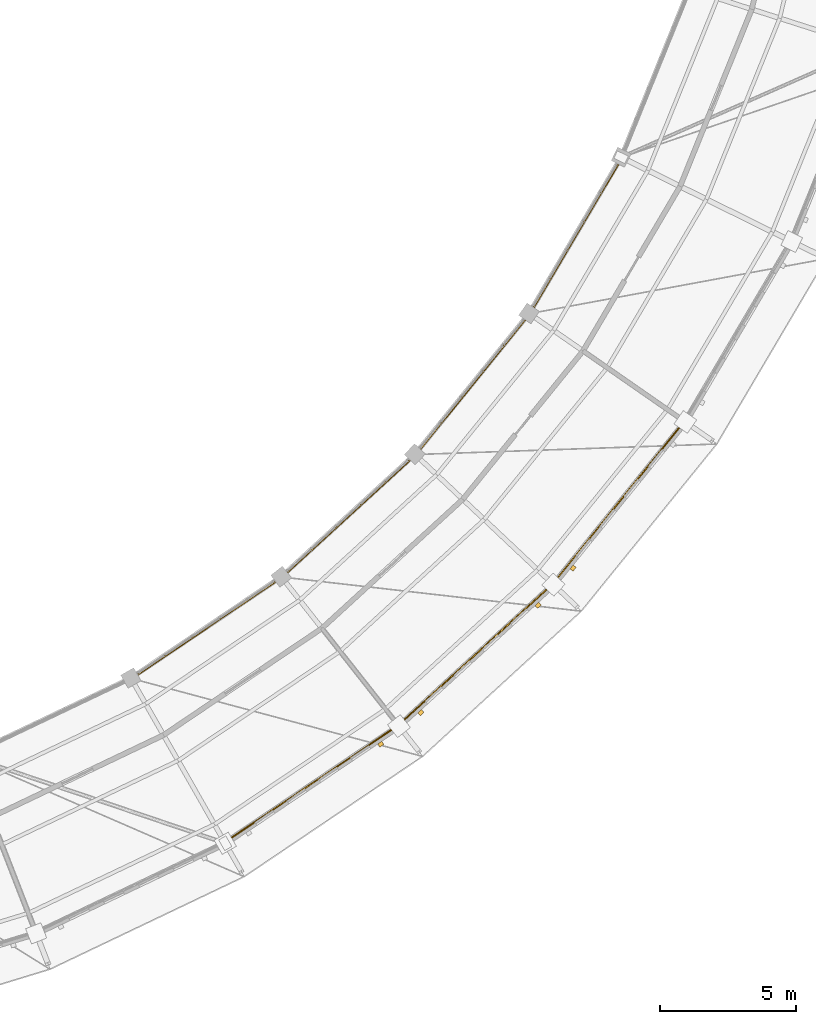
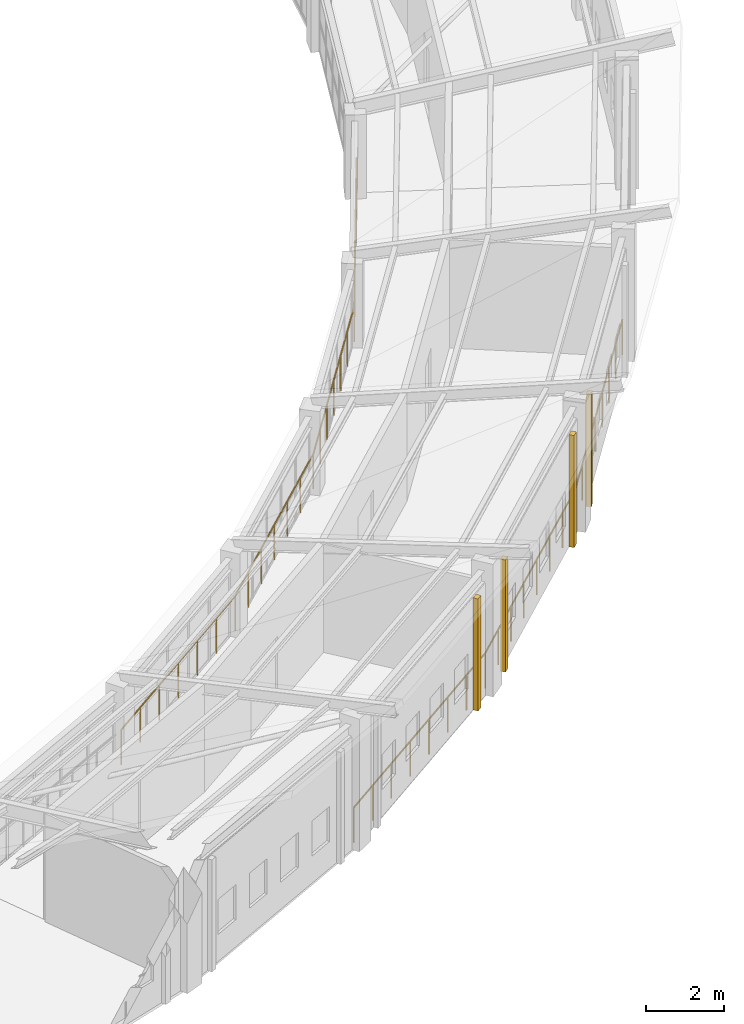
# One storey, part 141 of 149: 7 railings, 4 coverings.
"""IFC4 building model written with IfcOpenShell, lengths in metres."""

from ifc_helpers import new_model, si_unit, direction, frame, origin, origin_2d, place, context, subcontext, project, spatial, rectangle, circle, extrude, material, layer, layer_set, type_object, element, save


model = new_model("IFC4")

# Units and contexts
model_context = context("Model", 3, precision=1e-05, world=origin(), true_north=direction((0.0, 1.0)))
body_context = subcontext(model_context, "Body", "Model", "MODEL_VIEW")
ifc_project = project(units=[si_unit("LENGTHUNIT", "METRE"), si_unit("AREAUNIT", "SQUARE_METRE"), si_unit("VOLUMEUNIT", "CUBIC_METRE"), si_unit("PLANEANGLEUNIT", "RADIAN"), si_unit("MASSUNIT", "GRAM", prefix="KILO")], contexts=[model_context])

# Site, building, storey
site_placement = place(None, origin())
site = spatial("IfcSite", under=ifc_project, at=site_placement, CompositionType="ELEMENT")
building_placement = place(site_placement, origin())
building = spatial("IfcBuilding", under=site, at=building_placement, Name="Celadon Cloister-Ring School", CompositionType="ELEMENT")
storey_placement = place(building_placement, frame((0.0, 0.0, 12.5)))
storey = spatial("IfcBuildingStorey", under=building, at=storey_placement, Name="L03", CompositionType="ELEMENT", Elevation=12.5)

# Coverings
ifc_material_1 = material(Name="Perforated terracotta clay brick masonry", Category="masonry")
ifc_layer = layer(ifc_material_1, 0.139892578125)
ifc_layer_set = layer_set([ifc_layer], Name="Perforated terracotta clay brick masonry")
covering_type = type_object("IfcCoveringType", Name="CV-SC1", PredefinedType="CLADDING", material=ifc_layer_set)
for number, where, z_axis, x_axis, name in (
    (1, (118.510009765625, 17.488037109375, -0.00048828125), (0.0, 0.0, 1.0), (-0.829213207273, -0.558932426045, 0.0), "Brick Screen Rib 0388"),
    (2, (124.298095703125, 22.59912109375, -0.00048828125), (0.0, 0.0, 1.0), (-0.73754847669, -0.675294191099, 0.0), "Brick Screen Rib 0390"),
    (3, (119.98291015625, 18.64892578125, -0.00048828125), (0.0, 0.0, 1.0), (-0.73754847669, -0.675294191099, 0.0), "Brick Screen Rib 0391"),
    (4, (125.5830078125, 23.965087890625, -0.00048828125), (0.0, 0.0, 1.0), (-0.629605187645, -0.776915251292, 0.0), "Brick Screen Rib 0393"),
):
    element("IfcCovering", number, at=place(storey_placement, frame(where, z_axis=z_axis, x_axis=x_axis)), inside=storey, type_object=covering_type, Name=name, PredefinedType="CLADDING", context=body_context, shape_type="SweptSolid", body=[
        extrude(rectangle(XDim=0.179931640625, YDim=0.139892578125, at=origin_2d()), origin(), (0.0, 0.0, 1.0), 3.51708984375),
    ])

# Railings
ifc_material_2 = material(Name="Structural steel S355JR", Category="steel")
railing_type = type_object("IfcRailingType", Name="RL-BL1", PredefinedType="BALUSTRADE", material=ifc_material_2)
railing_1_placement = place(storey_placement, frame((112.77197265625, 13.882080078125, 0.0)))
element("IfcRailing", 5, at=railing_1_placement, inside=storey, type_object=railing_type, Name="Terrace Balustrade 0166", PredefinedType="BALUSTRADE", context=body_context, shape_type="SweptSolid", body=[
    extrude(circle(Radius=0.02392578125, at=origin_2d()), frame((0.0, 0.0, 1.09619140625), z_axis=(0.829184941382, 0.558974358075, 0.0), x_axis=(-0.558974358075, 0.829184941382, 0.0)), (0.0, 0.0, 1.0), 7.697998046875),
    extrude(circle(Radius=0.02099609375, at=origin_2d()), origin(), (0.0, 0.0, 1.0), 1.072021484375),
    extrude(circle(Radius=0.02099609375, at=origin_2d()), frame((0.911865234375, 0.61474609375, 0.0)), (0.0, 0.0, 1.0), 1.072021484375),
    extrude(circle(Radius=0.02099609375, at=origin_2d()), frame((1.82373046875, 1.2294921875, 0.0)), (0.0, 0.0, 1.0), 1.072021484375),
    extrude(circle(Radius=0.02099609375, at=origin_2d()), frame((2.735595703125, 1.84423828125, 0.0)), (0.0, 0.0, 1.0), 1.072021484375),
    extrude(circle(Radius=0.02099609375, at=origin_2d()), frame((3.6474609375, 2.458740234375, 0.0)), (0.0, 0.0, 1.0), 1.072021484375),
    extrude(circle(Radius=0.02099609375, at=origin_2d()), frame((4.559326171875, 3.073486328125, 0.0)), (0.0, 0.0, 1.0), 1.072021484375),
    extrude(circle(Radius=0.02099609375, at=origin_2d()), frame((5.47119140625, 3.688232421875, 0.0)), (0.0, 0.0, 1.0), 1.072021484375),
    extrude(circle(Radius=0.02099609375, at=origin_2d()), frame((6.383056640625, 4.302978515625, 0.0)), (0.0, 0.0, 1.0), 1.072021484375),
])
railing_2_placement = place(storey_placement, frame((119.155029296875, 18.18505859375, 0.0)))
element("IfcRailing", 6, at=railing_2_placement, inside=storey, type_object=railing_type, Name="Terrace Balustrade 0167", PredefinedType="BALUSTRADE", context=body_context, shape_type="SweptSolid", body=[
    extrude(circle(Radius=0.02392578125, at=origin_2d()), frame((0.0, 0.0, 1.09619140625), z_axis=(0.737537150433, 0.675306561298, 0.0), x_axis=(-0.675306561298, 0.737537150433, 0.0)), (0.0, 0.0, 1.0), 7.697265625),
    extrude(circle(Radius=0.02099609375, at=origin_2d()), origin(), (0.0, 0.0, 1.0), 1.072021484375),
    extrude(circle(Radius=0.02099609375, at=origin_2d()), frame((0.81103515625, 0.74267578125, 0.0)), (0.0, 0.0, 1.0), 1.072021484375),
    extrude(circle(Radius=0.02099609375, at=origin_2d()), frame((1.6220703125, 1.485107421875, 0.0)), (0.0, 0.0, 1.0), 1.072021484375),
    extrude(circle(Radius=0.02099609375, at=origin_2d()), frame((2.43310546875, 2.227783203125, 0.0)), (0.0, 0.0, 1.0), 1.072021484375),
    extrude(circle(Radius=0.02099609375, at=origin_2d()), frame((3.243896484375, 2.97021484375, 0.0)), (0.0, 0.0, 1.0), 1.072021484375),
    extrude(circle(Radius=0.02099609375, at=origin_2d()), frame((4.054931640625, 3.712890625, 0.0)), (0.0, 0.0, 1.0), 1.072021484375),
    extrude(circle(Radius=0.02099609375, at=origin_2d()), frame((4.865966796875, 4.455322265625, 0.0)), (0.0, 0.0, 1.0), 1.072021484375),
    extrude(circle(Radius=0.02099609375, at=origin_2d()), frame((5.677001953125, 5.197998046875, 0.0)), (0.0, 0.0, 1.0), 1.072021484375),
])
railing_3_placement = place(storey_placement, frame((124.83203125, 23.383056640625, 0.0)))
element("IfcRailing", 7, at=railing_3_placement, inside=storey, type_object=railing_type, Name="Terrace Balustrade 0168", PredefinedType="BALUSTRADE", context=body_context, shape_type="SweptSolid", body=[
    extrude(circle(Radius=0.02392578125, at=origin_2d()), frame((0.0, 0.0, 1.09619140625), z_axis=(0.629605941512, 0.776914640365, 0.0), x_axis=(-0.776914640365, 0.629605941512, 0.0)), (0.0, 0.0, 1.0), 7.6982421875),
    extrude(circle(Radius=0.02099609375, at=origin_2d()), origin(), (0.0, 0.0, 1.0), 1.072021484375),
    extrude(circle(Radius=0.02099609375, at=origin_2d()), frame((0.6923828125, 0.8544921875, 0.0)), (0.0, 0.0, 1.0), 1.072021484375),
    extrude(circle(Radius=0.02099609375, at=origin_2d()), frame((1.384765625, 1.708740234375, 0.0)), (0.0, 0.0, 1.0), 1.072021484375),
    extrude(circle(Radius=0.02099609375, at=origin_2d()), frame((2.0771484375, 2.563232421875, 0.0)), (0.0, 0.0, 1.0), 1.072021484375),
    extrude(circle(Radius=0.02099609375, at=origin_2d()), frame((2.769775390625, 3.417724609375, 0.0)), (0.0, 0.0, 1.0), 1.072021484375),
    extrude(circle(Radius=0.02099609375, at=origin_2d()), frame((3.462158203125, 4.272216796875, 0.0)), (0.0, 0.0, 1.0), 1.072021484375),
    extrude(circle(Radius=0.02099609375, at=origin_2d()), frame((4.154541015625, 5.12646484375, 0.0)), (0.0, 0.0, 1.0), 1.072021484375),
    extrude(circle(Radius=0.02099609375, at=origin_2d()), frame((4.846923828125, 5.98095703125, 0.0)), (0.0, 0.0, 1.0), 1.072021484375),
])
railing_4_placement = place(storey_placement, frame((109.340087890625, 19.89111328125, 0.0)))
element("IfcRailing", 8, at=railing_4_placement, inside=storey, type_object=railing_type, Name="Terrace Balustrade 0201", PredefinedType="BALUSTRADE", context=body_context, shape_type="SweptSolid", body=[
    extrude(circle(Radius=0.02392578125, at=origin_2d()), frame((0.0, 0.0, 1.09619140625), z_axis=(0.829179794599, 0.558981992759, 0.0), x_axis=(-0.558981992759, 0.829179794599, 0.0)), (0.0, 0.0, 1.0), 6.6728515625),
    extrude(circle(Radius=0.02099609375, at=origin_2d()), origin(), (0.0, 0.0, 1.0), 1.072021484375),
    extrude(circle(Radius=0.02099609375, at=origin_2d()), frame((0.922119140625, 0.62158203125, 0.0)), (0.0, 0.0, 1.0), 1.072021484375),
    extrude(circle(Radius=0.02099609375, at=origin_2d()), frame((1.84423828125, 1.243408203125, 0.0)), (0.0, 0.0, 1.0), 1.072021484375),
    extrude(circle(Radius=0.02099609375, at=origin_2d()), frame((2.7666015625, 1.864990234375, 0.0)), (0.0, 0.0, 1.0), 1.072021484375),
    extrude(circle(Radius=0.02099609375, at=origin_2d()), frame((3.688720703125, 2.486572265625, 0.0)), (0.0, 0.0, 1.0), 1.072021484375),
    extrude(circle(Radius=0.02099609375, at=origin_2d()), frame((4.61083984375, 3.1083984375, 0.0)), (0.0, 0.0, 1.0), 1.072021484375),
    extrude(circle(Radius=0.02099609375, at=origin_2d()), frame((5.532958984375, 3.72998046875, 0.0)), (0.0, 0.0, 1.0), 1.072021484375),
])
railing_5_placement = place(storey_placement, frame((114.873046875, 23.62109375, 0.0)))
element("IfcRailing", 9, at=railing_5_placement, inside=storey, type_object=railing_type, Name="Terrace Balustrade 0202", PredefinedType="BALUSTRADE", context=body_context, shape_type="SweptSolid", body=[
    extrude(circle(Radius=0.02392578125, at=origin_2d()), frame((0.0, 0.0, 1.09619140625), z_axis=(0.737524632236, 0.675320232812, 0.0), x_axis=(-0.675320232812, 0.737524632236, 0.0)), (0.0, 0.0, 1.0), 6.672119140625),
    extrude(circle(Radius=0.02099609375, at=origin_2d()), origin(), (0.0, 0.0, 1.0), 1.072021484375),
    extrude(circle(Radius=0.02099609375, at=origin_2d()), frame((0.820068359375, 0.7509765625, 0.0)), (0.0, 0.0, 1.0), 1.072021484375),
    extrude(circle(Radius=0.02099609375, at=origin_2d()), frame((1.640380859375, 1.501953125, 0.0)), (0.0, 0.0, 1.0), 1.072021484375),
    extrude(circle(Radius=0.02099609375, at=origin_2d()), frame((2.46044921875, 2.2529296875, 0.0)), (0.0, 0.0, 1.0), 1.072021484375),
    extrude(circle(Radius=0.02099609375, at=origin_2d()), frame((3.280517578125, 3.00390625, 0.0)), (0.0, 0.0, 1.0), 1.072021484375),
    extrude(circle(Radius=0.02099609375, at=origin_2d()), frame((4.100830078125, 3.7548828125, 0.0)), (0.0, 0.0, 1.0), 1.072021484375),
    extrude(circle(Radius=0.02099609375, at=origin_2d()), frame((4.9208984375, 4.505859375, 0.0)), (0.0, 0.0, 1.0), 1.072021484375),
])
railing_6_placement = place(storey_placement, frame((119.7939453125, 28.126953125, 0.0)))
element("IfcRailing", 10, at=railing_6_placement, inside=storey, type_object=railing_type, Name="Terrace Balustrade 0203", PredefinedType="BALUSTRADE", context=body_context, shape_type="SweptSolid", body=[
    extrude(circle(Radius=0.02392578125, at=origin_2d()), frame((0.0, 0.0, 1.09619140625), z_axis=(0.629608629722, 0.776912461851, 0.0), x_axis=(-0.776912461851, 0.629608629722, 0.0)), (0.0, 0.0, 1.0), 6.672607421875),
    extrude(circle(Radius=0.02099609375, at=origin_2d()), origin(), (0.0, 0.0, 1.0), 1.072021484375),
    extrude(circle(Radius=0.02099609375, at=origin_2d()), frame((0.7001953125, 0.864013671875, 0.0)), (0.0, 0.0, 1.0), 1.072021484375),
    extrude(circle(Radius=0.02099609375, at=origin_2d()), frame((1.400390625, 1.72802734375, 0.0)), (0.0, 0.0, 1.0), 1.072021484375),
    extrude(circle(Radius=0.02099609375, at=origin_2d()), frame((2.1005859375, 2.592041015625, 0.0)), (0.0, 0.0, 1.0), 1.072021484375),
    extrude(circle(Radius=0.02099609375, at=origin_2d()), frame((2.80078125, 3.4560546875, 0.0)), (0.0, 0.0, 1.0), 1.072021484375),
    extrude(circle(Radius=0.02099609375, at=origin_2d()), frame((3.5009765625, 4.320068359375, 0.0)), (0.0, 0.0, 1.0), 1.072021484375),
    extrude(circle(Radius=0.02099609375, at=origin_2d()), frame((4.201171875, 5.18408203125, 0.0)), (0.0, 0.0, 1.0), 1.072021484375),
])
railing_7_placement = place(storey_placement, frame((123.9951171875, 33.31103515625, 0.0)))
element("IfcRailing", 11, at=railing_7_placement, inside=storey, type_object=railing_type, Name="Terrace Balustrade 0204", PredefinedType="BALUSTRADE", context=body_context, shape_type="SweptSolid", body=[
    extrude(circle(Radius=0.02392578125, at=origin_2d()), frame((0.0, 0.0, 1.09619140625), z_axis=(0.508051148049, 0.861326901337, 0.0), x_axis=(-0.861326901337, 0.508051148049, 0.0)), (0.0, 0.0, 1.0), 6.67236328125),
    extrude(circle(Radius=0.02099609375, at=origin_2d()), origin(), (0.0, 0.0, 1.0), 1.072021484375),
    extrude(circle(Radius=0.02099609375, at=origin_2d()), frame((0.56494140625, 0.957763671875, 0.0)), (0.0, 0.0, 1.0), 1.072021484375),
    extrude(circle(Radius=0.02099609375, at=origin_2d()), frame((1.1298828125, 1.915771484375, 0.0)), (0.0, 0.0, 1.0), 1.072021484375),
    extrude(circle(Radius=0.02099609375, at=origin_2d()), frame((1.69482421875, 2.87353515625, 0.0)), (0.0, 0.0, 1.0), 1.072021484375),
    extrude(circle(Radius=0.02099609375, at=origin_2d()), frame((2.260009765625, 3.831298828125, 0.0)), (0.0, 0.0, 1.0), 1.072021484375),
    extrude(circle(Radius=0.02099609375, at=origin_2d()), frame((2.824951171875, 4.789306640625, 0.0)), (0.0, 0.0, 1.0), 1.072021484375),
    extrude(circle(Radius=0.02099609375, at=origin_2d()), frame((3.389892578125, 5.7470703125, 0.0)), (0.0, 0.0, 1.0), 1.072021484375),
])

save(model, "model.ifc")
